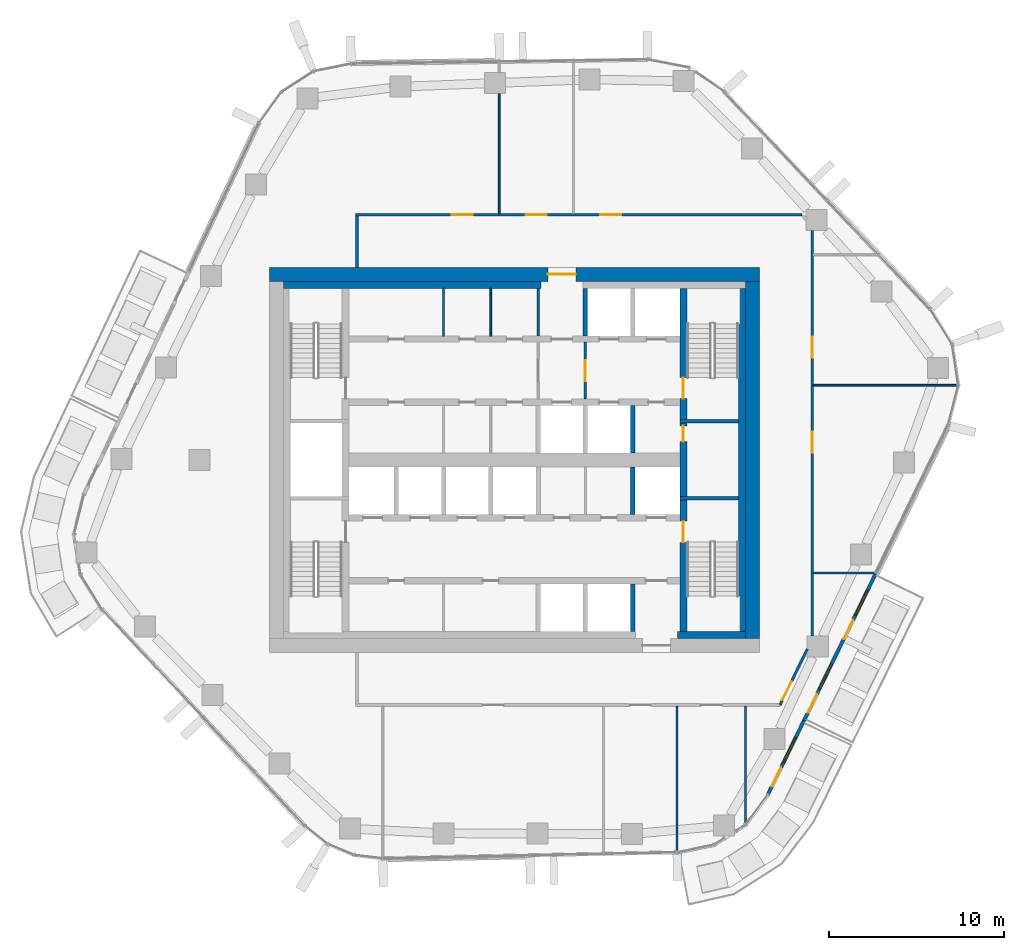
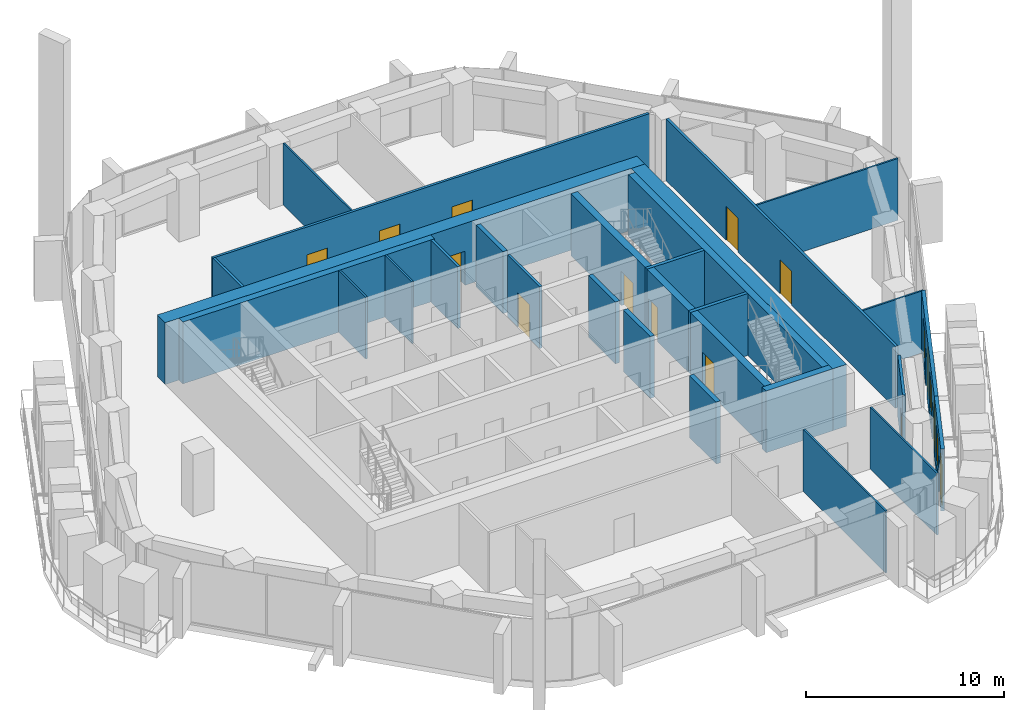
# One storey, part 13 of 18: 29 walls, 14 doors, 3 windows, 17 openings.
"""IFC4 building model written with IfcOpenShell, lengths in metres."""

from ifc_helpers import new_model, si_unit, direction, frame, frame_2d, origin, place, context, subcontext, project, spatial, rectangle, extrude, material, layer, layer_set, type_object, element, fill, save


model = new_model("IFC4")

# Units and contexts
model_context = context("Model", 3, precision=1e-05, world=origin(), true_north=direction((0.0, 1.0)))
body_context = subcontext(model_context, "Body", "Model", "MODEL_VIEW")
ifc_project = project(units=[si_unit("LENGTHUNIT", "METRE"), si_unit("AREAUNIT", "SQUARE_METRE"), si_unit("VOLUMEUNIT", "CUBIC_METRE"), si_unit("PLANEANGLEUNIT", "RADIAN"), si_unit("MASSUNIT", "GRAM", prefix="KILO")], contexts=[model_context])

# Site, building, storey
site_placement = place(None, origin())
site = spatial("IfcSite", under=ifc_project, at=site_placement, CompositionType="ELEMENT")
building_placement = place(site_placement, origin())
building = spatial("IfcBuilding", under=site, at=building_placement, Name="Dongbaek Canopy Tower", CompositionType="ELEMENT")
storey_placement = place(building_placement, frame((0.0, 0.0, 158.60009765625)))
storey = spatial("IfcBuildingStorey", under=building, at=storey_placement, Name="L34", CompositionType="ELEMENT", Elevation=158.60009765625)

# Wall, opening, door
ifc_material_1 = material(Name="Concrete C70/85", Category="concrete")
ifc_layer_1 = layer(ifc_material_1, 0.800048828125)
ifc_layer_set_1 = layer_set([ifc_layer_1], Name="Core outer wall 800 Concrete C70/85")
wall_type_1 = type_object("IfcWallType", Name="Core outer wall 800 Concrete C70/85", PredefinedType="SHEAR", material=ifc_layer_set_1)
wall_1_placement = place(storey_placement, frame((-14.0, 10.60009765625, 0.0), z_axis=(0.0, 0.0, 1.0), x_axis=(1.0, 0.0, 0.0)))
wall_1 = element("IfcWall", 1, at=wall_1_placement, inside=storey, type_object=wall_type_1, Name="Core wall", PredefinedType="SHEAR", context=body_context, shape_type="SweptSolid", body=[
    extrude(rectangle(XDim=28.0, YDim=0.800048828125, at=frame_2d((14.0, 0.0))), origin(), (0.0, 0.0, 1.0), 3.81982421875),
])
opening_1_placement = place(wall_1_placement, frame((15.89990234375, 0.0, 0.0)))
opening_1 = element("IfcOpeningElement", 2, at=opening_1_placement, cuts=wall_1, Name="Opening L34-D011", PredefinedType="OPENING", context=body_context, shape_type="SweptSolid", body=[
    extrude(rectangle(XDim=1.60009765625, YDim=2.10009765625, at=frame_2d((0.800048828125, 1.050048828125))), frame((0.0, 0.409912109375, 0.0), z_axis=(0.0, -1.0, 0.0), x_axis=(1.0, 0.0, 0.0)), (0.0, 0.0, 1.0), 0.820068359375),
])
ifc_material_2 = material(Name="Steel", Category="steel")
door_type_1 = type_object("IfcDoorType", Name="Core exit door 1600 x 2100", OperationType="DOUBLE_DOOR_SINGLE_SWING", PredefinedType="DOOR", material=ifc_material_2)
door_1_placement = place(opening_1_placement, origin())
door_1 = element("IfcDoor", 3, at=door_1_placement, inside=storey, type_object=door_type_1, Name="Core exit door", OperationType="DOUBLE_DOOR_SINGLE_SWING", OverallHeight=2.10009765625, OverallWidth=1.60009765625, PredefinedType="DOOR", context=body_context, shape_type="SweptSolid", body=[
    extrude(rectangle(XDim=1.60009765625, YDim=2.10009765625, at=frame_2d((0.800048828125, 1.050048828125))), frame((0.0, 0.02490234375, 0.0), z_axis=(0.0, -1.0, 0.0), x_axis=(1.0, 0.0, 0.0)), (0.0, 0.0, 1.0), 0.050048828125),
])
fill(opening_1, door_1)

# Walls
wall_2_placement = place(storey_placement, frame((13.60009765625, 10.199951171875, 0.0), z_axis=(0.0, 0.0, 1.0), x_axis=(0.0, -1.0, 0.0)))
element("IfcWall", 4, at=wall_2_placement, inside=storey, type_object=wall_type_1, Name="Core wall", PredefinedType="SHEAR", context=body_context, shape_type="SweptSolid", body=[
    extrude(rectangle(XDim=20.39990234375, YDim=0.800048828125, at=frame_2d((10.199951171875, 0.0))), origin(), (0.0, 0.0, 1.0), 3.81982421875),
])
ifc_material_3 = material(Name="Concrete C60/75", Category="concrete")
ifc_layer_2 = layer(ifc_material_3, 0.39990234375)
ifc_layer_set_2 = layer_set([ifc_layer_2], Name="Core wall lining 400 Concrete C60/75")
wall_type_2 = type_object("IfcWallType", Name="Core wall lining 400 Concrete C60/75", PredefinedType="SHEAR", material=ifc_layer_set_2)
wall_3_placement = place(storey_placement, frame((-13.199951171875, 10.0, 0.0), z_axis=(0.0, 0.0, 1.0), x_axis=(1.0, 0.0, 0.0)))
element("IfcWall", 5, at=wall_3_placement, inside=storey, type_object=wall_type_2, Name="Core wall lining", PredefinedType="SHEAR", context=body_context, shape_type="SweptSolid", body=[
    extrude(rectangle(XDim=14.699951171875, YDim=0.39990234375, at=frame_2d((7.35009765625, 0.0))), origin(), (0.0, 0.0, 1.0), 3.81982421875),
])
wall_4_placement = place(storey_placement, frame((13.199951171875, -10.0, 0.0), z_axis=(0.0, 0.0, 1.0), x_axis=(-1.0, 0.0, 0.0)))
element("IfcWall", 6, at=wall_4_placement, inside=storey, type_object=wall_type_2, Name="Core wall lining", PredefinedType="SHEAR", context=body_context, shape_type="SweptSolid", body=[
    extrude(rectangle(XDim=3.89990234375, YDim=0.39990234375, at=frame_2d((1.949951171875, 0.0))), origin(), (0.0, 0.0, 1.0), 3.81982421875),
])
wall_5_placement = place(storey_placement, frame((13.0, 9.800048828125, 0.0), z_axis=(0.0, 0.0, 1.0), x_axis=(0.0, -1.0, 0.0)))
element("IfcWall", 7, at=wall_5_placement, inside=storey, type_object=wall_type_2, Name="Core wall lining", PredefinedType="SHEAR", context=body_context, shape_type="SweptSolid", body=[
    extrude(rectangle(XDim=19.60009765625, YDim=0.39990234375, at=frame_2d((9.800048828125, 0.0))), origin(), (0.0, 0.0, 1.0), 3.81982421875),
])

# Wall, openings, doors
ifc_material_4 = material(Name="Gypsum board partition, steel stud, 2 x 15 mm fire board", Category="steel")
ifc_layer_3 = layer(ifc_material_4, 0.14990234375)
ifc_layer_set_3 = layer_set([ifc_layer_3], Name="Fire-rated partition 150 gypsum board")
wall_type_3 = type_object("IfcWallType", Name="Fire-rated partition 150 gypsum board", PredefinedType="PARTITIONING", material=ifc_layer_set_3)
wall_6_placement = place(storey_placement, frame((-9.074951171875, 14.0, 0.0), z_axis=(0.0, 0.0, 1.0), x_axis=(1.0, 0.0, 0.0)))
wall_6 = element("IfcWall", 8, at=wall_6_placement, inside=storey, type_object=wall_type_3, Name="Corridor partition", PredefinedType="PARTITIONING", context=body_context, shape_type="SweptSolid", body=[
    extrude(rectangle(XDim=25.489013671875, YDim=0.14990234375, at=frame_2d((12.74462890625, 0.0))), origin(), (0.0, 0.0, 1.0), 3.81982421875),
])
opening_2_placement = place(wall_6_placement, frame((13.965087890625, 0.0, 0.0)))
opening_2 = element("IfcOpeningElement", 9, at=opening_2_placement, cuts=wall_6, Name="Opening L34-D007", PredefinedType="OPENING", context=body_context, shape_type="SweptSolid", body=[
    extrude(rectangle(XDim=1.199951171875, YDim=2.10009765625, at=frame_2d((0.60009765625, 1.050048828125))), frame((0.0, 0.0849609375, 0.0), z_axis=(0.0, -1.0, 0.0), x_axis=(1.0, 0.0, 0.0)), (0.0, 0.0, 1.0), 0.169921875),
])
opening_3_placement = place(wall_6_placement, frame((9.73046875, 0.0, 0.0)))
opening_3 = element("IfcOpeningElement", 10, at=opening_3_placement, cuts=wall_6, Name="Opening L34-D008", PredefinedType="OPENING", context=body_context, shape_type="SweptSolid", body=[
    extrude(rectangle(XDim=1.199951171875, YDim=2.10009765625, at=frame_2d((0.60009765625, 1.050048828125))), frame((0.0, 0.0849609375, 0.0), z_axis=(0.0, -1.0, 0.0), x_axis=(1.0, 0.0, 0.0)), (0.0, 0.0, 1.0), 0.169921875),
])
opening_4_placement = place(wall_6_placement, frame((5.490478515625, 0.0, 0.0)))
opening_4 = element("IfcOpeningElement", 11, at=opening_4_placement, cuts=wall_6, Name="Opening L34-D009", PredefinedType="OPENING", context=body_context, shape_type="SweptSolid", body=[
    extrude(rectangle(XDim=1.199951171875, YDim=2.10009765625, at=frame_2d((0.60009765625, 1.050048828125))), frame((0.0, 0.0849609375, 0.0), z_axis=(0.0, -1.0, 0.0), x_axis=(1.0, 0.0, 0.0)), (0.0, 0.0, 1.0), 0.169921875),
])
ifc_material_5 = material(Name="Timber veneered door leaf", Category="wood")
door_type_2 = type_object("IfcDoorType", Name="Room door 1200 x 2100", OperationType="SINGLE_SWING_LEFT", PredefinedType="DOOR", material=ifc_material_5)
door_2_placement = place(opening_2_placement, origin())
door_2 = element("IfcDoor", 12, at=door_2_placement, inside=storey, type_object=door_type_2, Name="Door L34-D007", OperationType="SINGLE_SWING_RIGHT", OverallHeight=2.10009765625, OverallWidth=1.199951171875, PredefinedType="DOOR", context=body_context, shape_type="SweptSolid", body=[
    extrude(rectangle(XDim=1.199951171875, YDim=2.10009765625, at=frame_2d((0.60009765625, 1.050048828125))), frame((0.0, 0.02490234375, 0.0), z_axis=(0.0, -1.0, 0.0), x_axis=(1.0, 0.0, 0.0)), (0.0, 0.0, 1.0), 0.050048828125),
])
fill(opening_2, door_2)
door_3_placement = place(opening_3_placement, origin())
door_3 = element("IfcDoor", 13, at=door_3_placement, inside=storey, type_object=door_type_2, Name="Door L34-D008", OperationType="SINGLE_SWING_LEFT", OverallHeight=2.10009765625, OverallWidth=1.199951171875, PredefinedType="DOOR", context=body_context, shape_type="SweptSolid", body=[
    extrude(rectangle(XDim=1.199951171875, YDim=2.10009765625, at=frame_2d((0.60009765625, 1.050048828125))), frame((0.0, 0.02490234375, 0.0), z_axis=(0.0, -1.0, 0.0), x_axis=(1.0, 0.0, 0.0)), (0.0, 0.0, 1.0), 0.050048828125),
])
fill(opening_3, door_3)
door_4_placement = place(opening_4_placement, origin())
door_4 = element("IfcDoor", 14, at=door_4_placement, inside=storey, type_object=door_type_2, Name="Door L34-D009", OperationType="SINGLE_SWING_RIGHT", OverallHeight=2.10009765625, OverallWidth=1.199951171875, PredefinedType="DOOR", context=body_context, shape_type="SweptSolid", body=[
    extrude(rectangle(XDim=1.199951171875, YDim=2.10009765625, at=frame_2d((0.60009765625, 1.050048828125))), frame((0.0, 0.02490234375, 0.0), z_axis=(0.0, -1.0, 0.0), x_axis=(1.0, 0.0, 0.0)), (0.0, 0.0, 1.0), 0.050048828125),
])
fill(opening_4, door_4)

# Wall, opening, door
wall_7_placement = place(storey_placement, frame((16.721923828125, -10.809326171875, 0.0), z_axis=(0.0, 0.0, 1.0), x_axis=(-0.438666135365, -0.898650110824, 0.0)))
wall_7 = element("IfcWall", 15, at=wall_7_placement, inside=storey, type_object=wall_type_3, Name="Corridor partition", PredefinedType="PARTITIONING", context=body_context, shape_type="SweptSolid", body=[
    extrude(rectangle(XDim=3.55029296875, YDim=0.14990234375, at=frame_2d((1.775146484375, 0.0))), origin(), (0.0, 0.0, 1.0), 3.81982421875),
])
opening_5_placement = place(wall_7_placement, frame((2.038330078125, 0.0, 0.0)))
opening_5 = element("IfcOpeningElement", 16, at=opening_5_placement, cuts=wall_7, Name="Opening L34-D004", PredefinedType="OPENING", context=body_context, shape_type="SweptSolid", body=[
    extrude(rectangle(XDim=1.199951171875, YDim=2.10009765625, at=frame_2d((0.60009765625, 1.050048828125))), frame((0.0, 0.0849609375, 0.0), z_axis=(0.0, -1.0, 0.0), x_axis=(1.0, 0.0, 0.0)), (0.0, 0.0, 1.0), 0.169921875),
])
door_5_placement = place(opening_5_placement, origin())
door_5 = element("IfcDoor", 17, at=door_5_placement, inside=storey, type_object=door_type_2, Name="Door L34-D004", OperationType="SINGLE_SWING_LEFT", OverallHeight=2.10009765625, OverallWidth=1.199951171875, PredefinedType="DOOR", context=body_context, shape_type="SweptSolid", body=[
    extrude(rectangle(XDim=1.199951171875, YDim=2.10009765625, at=frame_2d((0.60009765625, 1.050048828125))), frame((0.0, 0.02490234375, 0.0), z_axis=(0.0, -1.0, 0.0), x_axis=(1.0, 0.0, 0.0)), (0.0, 0.0, 1.0), 0.050048828125),
])
fill(opening_5, door_5)

# Wall, openings, doors
wall_8_placement = place(storey_placement, frame((17.0, 13.10595703125, 0.0), z_axis=(0.0, 0.0, 1.0), x_axis=(0.0, -1.0, 0.0)))
wall_8 = element("IfcWall", 18, at=wall_8_placement, inside=storey, type_object=wall_type_3, Name="Corridor partition", PredefinedType="PARTITIONING", context=body_context, shape_type="SweptSolid", body=[
    extrude(rectangle(XDim=23.171875, YDim=0.14990234375, at=frame_2d((11.5859375, 0.0))), origin(), (0.0, 0.0, 1.0), 3.81982421875),
])
opening_6_placement = place(wall_8_placement, frame((11.491943359375, 0.0, 0.0)))
opening_6 = element("IfcOpeningElement", 19, at=opening_6_placement, cuts=wall_8, Name="Opening L34-D005", PredefinedType="OPENING", context=body_context, shape_type="SweptSolid", body=[
    extrude(rectangle(XDim=1.199951171875, YDim=2.10009765625, at=frame_2d((0.60009765625, 1.050048828125))), frame((0.0, 0.0849609375, 0.0), z_axis=(0.0, -1.0, 0.0), x_axis=(1.0, 0.0, 0.0)), (0.0, 0.0, 1.0), 0.169921875),
])
opening_7_placement = place(wall_8_placement, frame((6.056396484375, 0.0, 0.0)))
opening_7 = element("IfcOpeningElement", 20, at=opening_7_placement, cuts=wall_8, Name="Opening L34-D006", PredefinedType="OPENING", context=body_context, shape_type="SweptSolid", body=[
    extrude(rectangle(XDim=1.199951171875, YDim=2.10009765625, at=frame_2d((0.60009765625, 1.050048828125))), frame((0.0, 0.0849609375, 0.0), z_axis=(0.0, -1.0, 0.0), x_axis=(1.0, 0.0, 0.0)), (0.0, 0.0, 1.0), 0.169921875),
])
door_6_placement = place(opening_6_placement, origin())
door_6 = element("IfcDoor", 21, at=door_6_placement, inside=storey, type_object=door_type_2, Name="Door L34-D005", OperationType="SINGLE_SWING_RIGHT", OverallHeight=2.10009765625, OverallWidth=1.199951171875, PredefinedType="DOOR", context=body_context, shape_type="SweptSolid", body=[
    extrude(rectangle(XDim=1.199951171875, YDim=2.10009765625, at=frame_2d((0.60009765625, 1.050048828125))), frame((0.0, 0.02490234375, 0.0), z_axis=(0.0, -1.0, 0.0), x_axis=(1.0, 0.0, 0.0)), (0.0, 0.0, 1.0), 0.050048828125),
])
fill(opening_6, door_6)
door_7_placement = place(opening_7_placement, origin())
door_7 = element("IfcDoor", 22, at=door_7_placement, inside=storey, type_object=door_type_2, Name="Door L34-D006", OperationType="SINGLE_SWING_LEFT", OverallHeight=2.10009765625, OverallWidth=1.199951171875, PredefinedType="DOOR", context=body_context, shape_type="SweptSolid", body=[
    extrude(rectangle(XDim=1.199951171875, YDim=2.10009765625, at=frame_2d((0.60009765625, 1.050048828125))), frame((0.0, 0.02490234375, 0.0), z_axis=(0.0, -1.0, 0.0), x_axis=(1.0, 0.0, 0.0)), (0.0, 0.0, 1.0), 0.050048828125),
])
fill(opening_7, door_7)

# Wall
wall_9_placement = place(storey_placement, frame((-9.0, 11.0, 0.0), z_axis=(0.0, 0.0, 1.0), x_axis=(0.0, 1.0, 0.0)))
element("IfcWall", 23, at=wall_9_placement, inside=storey, type_object=wall_type_3, Name="Corridor partition", PredefinedType="PARTITIONING", context=body_context, shape_type="SweptSolid", body=[
    extrude(rectangle(XDim=2.925048828125, YDim=0.14990234375, at=frame_2d((1.46240234375, 0.0))), origin(), (0.0, 0.0, 1.0), 3.81982421875),
])

# Wall, opening, door
wall_10_placement = place(storey_placement, frame((4.050048828125, 6.72509765625, 0.0), z_axis=(0.0, 0.0, 1.0), x_axis=(0.0, -1.0, 0.0)))
wall_10 = element("IfcWall", 24, at=wall_10_placement, inside=storey, type_object=wall_type_3, Name="Fire lobby partition", PredefinedType="PARTITIONING", context=body_context, shape_type="SweptSolid", body=[
    extrude(rectangle(XDim=3.25, YDim=0.14990234375, at=frame_2d((1.625, 0.0))), origin(), (0.0, 0.0, 1.0), 3.81982421875),
])
opening_8_placement = place(wall_10_placement, frame((1.02490234375, 0.0, 0.0)))
opening_8 = element("IfcOpeningElement", 25, at=opening_8_placement, cuts=wall_10, Name="Opening L34-D040", PredefinedType="OPENING", context=body_context, shape_type="SweptSolid", body=[
    extrude(rectangle(XDim=1.199951171875, YDim=2.10009765625, at=frame_2d((0.60009765625, 1.050048828125))), frame((0.0, 0.0849609375, 0.0), z_axis=(0.0, -1.0, 0.0), x_axis=(1.0, 0.0, 0.0)), (0.0, 0.0, 1.0), 0.169921875),
])
ifc_material_6 = material(Name="Steel", Category="steel")
door_type_3 = type_object("IfcDoorType", Name="Fire lobby door 1200 x 2100", OperationType="SINGLE_SWING_LEFT", PredefinedType="DOOR", material=ifc_material_6)
door_8_placement = place(opening_8_placement, origin())
door_8 = element("IfcDoor", 26, at=door_8_placement, inside=storey, type_object=door_type_3, Name="Door L34-D040", OperationType="SINGLE_SWING_RIGHT", OverallHeight=2.10009765625, OverallWidth=1.199951171875, PredefinedType="DOOR", context=body_context, shape_type="SweptSolid", body=[
    extrude(rectangle(XDim=1.199951171875, YDim=2.10009765625, at=frame_2d((0.60009765625, 1.050048828125))), frame((0.0, 0.02490234375, 0.0), z_axis=(0.0, -1.0, 0.0), x_axis=(1.0, 0.0, 0.0)), (0.0, 0.0, 1.0), 0.050048828125),
])
fill(opening_8, door_8)

# Walls
wall_11_placement = place(storey_placement, frame((1.35009765625, 7.074951171875, 0.0), z_axis=(0.0, 0.0, 1.0), x_axis=(0.0, 1.0, 0.0)))
element("IfcWall", 27, at=wall_11_placement, inside=storey, type_object=wall_type_3, Name="Fire lobby partition", PredefinedType="PARTITIONING", context=body_context, shape_type="SweptSolid", body=[
    extrude(rectangle(XDim=2.72509765625, YDim=0.14990234375, at=frame_2d((1.362548828125, 0.0))), origin(), (0.0, 0.0, 1.0), 3.81982421875),
])
ifc_material_7 = material(Name="Concrete C40/50", Category="concrete")
ifc_layer_4 = layer(ifc_material_7, 0.25)
ifc_layer_set_4 = layer_set([ifc_layer_4], Name="Lift shaft wall 250 Concrete C40/50")
wall_type_4 = type_object("IfcWallType", Name="Lift shaft wall 250 Concrete C40/50", PredefinedType="SOLIDWALL", material=ifc_layer_set_4)
for number, where, z_axis, x_axis, name in (
    (28, (6.75, -9.800048828125, 0.0), (0.0, 0.0, 1.0), (0.0, 1.0, 0.0), "Lift shaft wall"),
    (29, (6.75, -3.125, 0.0), (0.0, 0.0, 1.0), (0.0, 1.0, 0.0), "Lift shaft wall"),
    (30, (6.75, 0.39990234375, 0.0), (0.0, 0.0, 1.0), (0.0, 1.0, 0.0), "Lift shaft wall"),
    (31, (4.050048828125, 7.074951171875, 0.0), (0.0, 0.0, 1.0), (0.0, 1.0, 0.0), "Lift shaft wall"),
):
    element("IfcWall", number, at=place(storey_placement, frame(where, z_axis=z_axis, x_axis=x_axis)), inside=storey, type_object=wall_type_4, Name=name, PredefinedType="SOLIDWALL", context=body_context, shape_type="SweptSolid", body=[
        extrude(rectangle(XDim=2.72509765625, YDim=0.25, at=frame_2d((1.362548828125, 0.0))), origin(), (0.0, 0.0, 1.0), 3.81982421875),
    ])
ifc_material_8 = material(Name="Gypsum board partition, steel stud, 2 x 12.5 mm board", Category="steel")
ifc_layer_5 = layer(ifc_material_8, 0.10009765625)
ifc_layer_set_5 = layer_set([ifc_layer_5], Name="Partition 100 gypsum board")
wall_type_5 = type_object("IfcWallType", Name="Partition 100 gypsum board", PredefinedType="PARTITIONING", material=ifc_layer_set_5)
wall_12_placement = place(storey_placement, frame((17.074951171875, -6.4580078125, 0.0), z_axis=(0.0, 0.0, 1.0), x_axis=(1.0, 0.0, 0.0)))
element("IfcWall", 32, at=wall_12_placement, inside=storey, type_object=wall_type_5, Name="Partition", PredefinedType="PARTITIONING", context=body_context, shape_type="SweptSolid", body=[
    extrude(rectangle(XDim=3.552001953125, YDim=0.10009765625, at=frame_2d((1.77587890625, 0.0))), origin(), (0.0, 0.0, 1.0), 3.81982421875),
])
wall_13_placement = place(storey_placement, frame((17.074951171875, 4.26904296875, 0.0), z_axis=(0.0, 0.0, 1.0), x_axis=(1.0, 0.0, 0.0)))
element("IfcWall", 33, at=wall_13_placement, inside=storey, type_object=wall_type_5, Name="Partition", PredefinedType="PARTITIONING", context=body_context, shape_type="SweptSolid", body=[
    extrude(rectangle(XDim=8.258544921875, YDim=0.10009765625, at=frame_2d((4.12939453125, 0.0))), origin(), (0.0, 0.0, 1.0), 3.81982421875),
])
wall_14_placement = place(storey_placement, frame((13.197998046875, -20.79638671875, 0.0), z_axis=(0.0, 0.0, 1.0), x_axis=(0.0, 1.0, 0.0)))
element("IfcWall", 34, at=wall_14_placement, inside=storey, type_object=wall_type_5, Name="Partition", PredefinedType="PARTITIONING", context=body_context, shape_type="SweptSolid", body=[
    extrude(rectangle(XDim=6.721435546875, YDim=0.10009765625, at=frame_2d((3.36083984375, 0.0))), origin(), (0.0, 0.0, 1.0), 3.81982421875),
])
wall_15_placement = place(storey_placement, frame((9.283935546875, -22.39794921875, 0.0), z_axis=(0.0, 0.0, 1.0), x_axis=(0.0, 1.0, 0.0)))
element("IfcWall", 35, at=wall_15_placement, inside=storey, type_object=wall_type_5, Name="Partition", PredefinedType="PARTITIONING", context=body_context, shape_type="SweptSolid", body=[
    extrude(rectangle(XDim=8.322998046875, YDim=0.10009765625, at=frame_2d((4.16162109375, 0.0))), origin(), (0.0, 0.0, 1.0), 3.81982421875),
])
wall_16_placement = place(storey_placement, frame((-0.864990234375, 14.074951171875, 0.0), z_axis=(0.0, 0.0, 1.0), x_axis=(0.0, 1.0, 0.0)))
element("IfcWall", 36, at=wall_16_placement, inside=storey, type_object=wall_type_5, Name="Partition", PredefinedType="PARTITIONING", context=body_context, shape_type="SweptSolid", body=[
    extrude(rectangle(XDim=6.85498046875, YDim=0.10009765625, at=frame_2d((3.427490234375, 0.0))), origin(), (0.0, 0.0, 1.0), 3.81982421875),
])
for number, where, z_axis, x_axis, name in (
    (37, (-1.35009765625, 7.074951171875, 0.0), (0.0, 0.0, 1.0), (0.0, 1.0, 0.0), "Core partition"),
    (38, (-4.050048828125, 7.074951171875, 0.0), (0.0, 0.0, 1.0), (0.0, 1.0, 0.0), "Core partition"),
):
    element("IfcWall", number, at=place(storey_placement, frame(where, z_axis=z_axis, x_axis=x_axis)), inside=storey, type_object=wall_type_5, Name=name, PredefinedType="PARTITIONING", context=body_context, shape_type="SweptSolid", body=[
        extrude(rectangle(XDim=2.72509765625, YDim=0.10009765625, at=frame_2d((1.362548828125, 0.0))), origin(), (0.0, 0.0, 1.0), 3.81982421875),
    ])
ifc_material_9 = material(Name="Concrete C60/75", Category="concrete")
ifc_layer_6 = layer(ifc_material_9, 0.199951171875)
ifc_layer_set_6 = layer_set([ifc_layer_6], Name="Riser wall 200 Concrete C60/75")
wall_type_6 = type_object("IfcWallType", Name="Riser wall 200 Concrete C60/75", PredefinedType="SHEAR", material=ifc_layer_set_6)
for number, where, z_axis, x_axis, name in (
    (39, (9.449951171875, 2.199951171875, 0.0), (0.0, 0.0, 1.0), (1.0, 0.0, 0.0), "Riser wall"),
    (40, (9.449951171875, -2.199951171875, 0.0), (0.0, 0.0, 1.0), (1.0, 0.0, 0.0), "Riser wall"),
):
    element("IfcWall", number, at=place(storey_placement, frame(where, z_axis=z_axis, x_axis=x_axis)), inside=storey, type_object=wall_type_6, Name=name, PredefinedType="SHEAR", context=body_context, shape_type="SweptSolid", body=[
        extrude(rectangle(XDim=3.35009765625, YDim=0.199951171875, at=frame_2d((1.675048828125, 0.0))), origin(), (0.0, 0.0, 1.0), 3.81982421875),
    ])

# Wall, opening, door
ifc_material_10 = material(Name="Concrete C60/75", Category="concrete")
ifc_layer_7 = layer(ifc_material_10, 0.39990234375)
ifc_layer_set_7 = layer_set([ifc_layer_7], Name="Stair wall 400 Concrete C60/75")
wall_type_7 = type_object("IfcWallType", Name="Stair wall 400 Concrete C60/75", PredefinedType="SHEAR", material=ifc_layer_set_7)
wall_17_placement = place(storey_placement, frame((9.64990234375, -2.300048828125, 0.0), z_axis=(0.0, 0.0, 1.0), x_axis=(0.0, -1.0, 0.0)))
wall_17 = element("IfcWall", 41, at=wall_17_placement, inside=storey, type_object=wall_type_7, Name="Stair wall", PredefinedType="SHEAR", context=body_context, shape_type="SweptSolid", body=[
    extrude(rectangle(XDim=7.5, YDim=0.39990234375, at=frame_2d((3.75, 0.0))), origin(), (0.0, 0.0, 1.0), 3.81982421875),
])
opening_9_placement = place(wall_17_placement, frame((1.199951171875, 0.0, 0.0)))
opening_9 = element("IfcOpeningElement", 42, at=opening_9_placement, cuts=wall_17, Name="Opening L34-D037", PredefinedType="OPENING", context=body_context, shape_type="SweptSolid", body=[
    extrude(rectangle(XDim=1.199951171875, YDim=2.10009765625, at=frame_2d((0.60009765625, 1.050048828125))), frame((0.0, 0.2099609375, 0.0), z_axis=(0.0, -1.0, 0.0), x_axis=(1.0, 0.0, 0.0)), (0.0, 0.0, 1.0), 0.419921875),
])
ifc_material_11 = material(Name="Steel", Category="steel")
door_type_4 = type_object("IfcDoorType", Name="Stair door 1200 x 2100", OperationType="SINGLE_SWING_LEFT", PredefinedType="DOOR", material=ifc_material_11)
door_9_placement = place(opening_9_placement, origin())
door_9 = element("IfcDoor", 43, at=door_9_placement, inside=storey, type_object=door_type_4, Name="Stair B door", OperationType="SINGLE_SWING_RIGHT", OverallHeight=2.10009765625, OverallWidth=1.199951171875, PredefinedType="DOOR", context=body_context, shape_type="SweptSolid", body=[
    extrude(rectangle(XDim=1.199951171875, YDim=2.10009765625, at=frame_2d((0.60009765625, 1.050048828125))), frame((0.0, 0.02490234375, 0.0), z_axis=(0.0, -1.0, 0.0), x_axis=(1.0, 0.0, 0.0)), (0.0, 0.0, 1.0), 0.050048828125),
])
fill(opening_9, door_9)

wall_18_placement = place(storey_placement, frame((9.64990234375, 2.10009765625, 0.0), z_axis=(0.0, 0.0, 1.0), x_axis=(0.0, -1.0, 0.0)))
wall_18 = element("IfcWall", 44, at=wall_18_placement, inside=storey, type_object=wall_type_7, Name="Stair wall", PredefinedType="SHEAR", context=body_context, shape_type="SweptSolid", body=[
    extrude(rectangle(XDim=4.2001953125, YDim=0.39990234375, at=frame_2d((2.10009765625, 0.0))), origin(), (0.0, 0.0, 1.0), 3.81982421875),
])
opening_10_placement = place(wall_18_placement, frame((0.14990234375, 0.0, 0.0)))
opening_10 = element("IfcOpeningElement", 45, at=opening_10_placement, cuts=wall_18, Name="Opening L34-D010", PredefinedType="OPENING", context=body_context, shape_type="SweptSolid", body=[
    extrude(rectangle(XDim=0.89990234375, YDim=2.10009765625, at=frame_2d((0.449951171875, 1.050048828125))), frame((0.0, 0.2099609375, 0.0), z_axis=(0.0, -1.0, 0.0), x_axis=(1.0, 0.0, 0.0)), (0.0, 0.0, 1.0), 0.419921875),
])
ifc_material_12 = material(Name="Steel", Category="steel")
door_type_5 = type_object("IfcDoorType", Name="Core room door 900 x 2100", OperationType="SINGLE_SWING_LEFT", PredefinedType="DOOR", material=ifc_material_12)
door_10_placement = place(opening_10_placement, origin())
door_10 = element("IfcDoor", 46, at=door_10_placement, inside=storey, type_object=door_type_5, Name="Door L34-D010", OperationType="SINGLE_SWING_RIGHT", OverallHeight=2.10009765625, OverallWidth=0.89990234375, PredefinedType="DOOR", context=body_context, shape_type="SweptSolid", body=[
    extrude(rectangle(XDim=0.89990234375, YDim=2.10009765625, at=frame_2d((0.449951171875, 1.050048828125))), frame((0.0, 0.02490234375, 0.0), z_axis=(0.0, -1.0, 0.0), x_axis=(1.0, 0.0, 0.0)), (0.0, 0.0, 1.0), 0.050048828125),
])
fill(opening_10, door_10)

wall_19_placement = place(storey_placement, frame((9.64990234375, 9.800048828125, 0.0), z_axis=(0.0, 0.0, 1.0), x_axis=(0.0, -1.0, 0.0)))
wall_19 = element("IfcWall", 47, at=wall_19_placement, inside=storey, type_object=wall_type_7, Name="Stair wall", PredefinedType="SHEAR", context=body_context, shape_type="SweptSolid", body=[
    extrude(rectangle(XDim=7.5, YDim=0.39990234375, at=frame_2d((3.75, 0.0))), origin(), (0.0, 0.0, 1.0), 3.81982421875),
])
opening_11_placement = place(wall_19_placement, frame((5.10009765625, 0.0, 0.0)))
opening_11 = element("IfcOpeningElement", 48, at=opening_11_placement, cuts=wall_19, Name="Opening L34-D035", PredefinedType="OPENING", context=body_context, shape_type="SweptSolid", body=[
    extrude(rectangle(XDim=1.199951171875, YDim=2.10009765625, at=frame_2d((0.60009765625, 1.050048828125))), frame((0.0, 0.2099609375, 0.0), z_axis=(0.0, -1.0, 0.0), x_axis=(1.0, 0.0, 0.0)), (0.0, 0.0, 1.0), 0.419921875),
])
door_11_placement = place(opening_11_placement, origin())
door_11 = element("IfcDoor", 49, at=door_11_placement, inside=storey, type_object=door_type_4, Name="Stair A door", OperationType="SINGLE_SWING_LEFT", OverallHeight=2.10009765625, OverallWidth=1.199951171875, PredefinedType="DOOR", context=body_context, shape_type="SweptSolid", body=[
    extrude(rectangle(XDim=1.199951171875, YDim=2.10009765625, at=frame_2d((0.60009765625, 1.050048828125))), frame((0.0, 0.02490234375, 0.0), z_axis=(0.0, -1.0, 0.0), x_axis=(1.0, 0.0, 0.0)), (0.0, 0.0, 1.0), 0.050048828125),
])
fill(opening_11, door_11)

# Wall, openings, doors, windows
ifc_material_13 = material(Name="Aluminium window wall", Category="aluminium")
ifc_layer_8 = layer(ifc_material_13, 0.199951171875)
ifc_layer_set_8 = layer_set([ifc_layer_8], Name="Window wall 200")
wall_type_8 = type_object("IfcWallType", Name="Window wall 200", PredefinedType="SOLIDWALL", material=ifc_layer_set_8)
wall_20_placement = place(storey_placement, frame((16.53271484375, -14.89111328125, 0.0), z_axis=(0.0, 0.0, 1.0), x_axis=(0.438659913387, 0.898653147987, 0.0)))
wall_20 = element("IfcWall", 50, at=wall_20_placement, inside=storey, type_object=wall_type_8, Name="Window wall L34 2", PredefinedType="SOLIDWALL", context=body_context, shape_type="SweptSolid", body=[
    extrude(rectangle(XDim=9.38427734375, YDim=0.199951171875, at=frame_2d((4.692138671875, 0.0))), origin(), (0.0, 0.0, 1.0), 3.81982421875),
])
opening_12_placement = place(wall_20_placement, frame((2.0, 0.0, 0.60009765625)))
opening_12 = element("IfcOpeningElement", 51, at=opening_12_placement, cuts=wall_20, Name="Opening W1", PredefinedType="OPENING", context=body_context, shape_type="SweptSolid", body=[
    extrude(rectangle(XDim=1.60009765625, YDim=2.39990234375, at=frame_2d((0.800048828125, 1.199951171875))), frame((0.0, 0.10986328125, 0.0), z_axis=(0.0, -1.0, 0.0), x_axis=(1.0, 0.0, 0.0)), (0.0, 0.0, 1.0), 0.219970703125),
])
opening_13_placement = place(wall_20_placement, frame((0.5, 0.0, 0.0)))
opening_13 = element("IfcOpeningElement", 52, at=opening_13_placement, cuts=wall_20, Name="Opening L34-B04", PredefinedType="OPENING", context=body_context, shape_type="SweptSolid", body=[
    extrude(rectangle(XDim=1.199951171875, YDim=2.39990234375, at=frame_2d((0.60009765625, 1.199951171875))), frame((0.0, 0.10986328125, 0.0), z_axis=(0.0, -1.0, 0.0), x_axis=(1.0, 0.0, 0.0)), (0.0, 0.0, 1.0), 0.219970703125),
])
opening_14_placement = place(wall_20_placement, frame((6.692138671875, 0.0, 0.60009765625)))
opening_14 = element("IfcOpeningElement", 53, at=opening_14_placement, cuts=wall_20, Name="Opening W1", PredefinedType="OPENING", context=body_context, shape_type="SweptSolid", body=[
    extrude(rectangle(XDim=1.60009765625, YDim=2.39990234375, at=frame_2d((0.800048828125, 1.199951171875))), frame((0.0, 0.10986328125, 0.0), z_axis=(0.0, -1.0, 0.0), x_axis=(1.0, 0.0, 0.0)), (0.0, 0.0, 1.0), 0.219970703125),
])
opening_15_placement = place(wall_20_placement, frame((5.192138671875, 0.0, 0.0)))
opening_15 = element("IfcOpeningElement", 54, at=opening_15_placement, cuts=wall_20, Name="Opening L34-B05", PredefinedType="OPENING", context=body_context, shape_type="SweptSolid", body=[
    extrude(rectangle(XDim=1.199951171875, YDim=2.39990234375, at=frame_2d((0.60009765625, 1.199951171875))), frame((0.0, 0.10986328125, 0.0), z_axis=(0.0, -1.0, 0.0), x_axis=(1.0, 0.0, 0.0)), (0.0, 0.0, 1.0), 0.219970703125),
])
ifc_material_14 = material(Name="Clear glazing in aluminium frame", Category="aluminium")
door_type_6 = type_object("IfcDoorType", Name="Balcony door BD1 1200 x 2400", OperationType="SLIDING_TO_LEFT", PredefinedType="DOOR", material=ifc_material_14)
door_12_placement = place(opening_13_placement, origin())
door_12 = element("IfcDoor", 55, at=door_12_placement, inside=storey, type_object=door_type_6, Name="Balcony door L34-B04", OperationType="SLIDING_TO_LEFT", OverallHeight=2.39990234375, OverallWidth=1.199951171875, PredefinedType="DOOR", context=body_context, shape_type="SweptSolid", body=[
    extrude(rectangle(XDim=1.199951171875, YDim=2.39990234375, at=frame_2d((0.60009765625, 1.199951171875))), frame((0.0, 0.02490234375, 0.0), z_axis=(0.0, -1.0, 0.0), x_axis=(1.0, 0.0, 0.0)), (0.0, 0.0, 1.0), 0.050048828125),
])
fill(opening_13, door_12)
door_13_placement = place(opening_15_placement, origin())
door_13 = element("IfcDoor", 56, at=door_13_placement, inside=storey, type_object=door_type_6, Name="Balcony door L34-B05", OperationType="SLIDING_TO_LEFT", OverallHeight=2.39990234375, OverallWidth=1.199951171875, PredefinedType="DOOR", context=body_context, shape_type="SweptSolid", body=[
    extrude(rectangle(XDim=1.199951171875, YDim=2.39990234375, at=frame_2d((0.60009765625, 1.199951171875))), frame((0.0, 0.02490234375, 0.0), z_axis=(0.0, -1.0, 0.0), x_axis=(1.0, 0.0, 0.0)), (0.0, 0.0, 1.0), 0.050048828125),
])
fill(opening_15, door_13)
ifc_material_15 = material(Name="Clear glazing in aluminium frame", Category="aluminium")
window_type = type_object("IfcWindowType", Name="Window W1 1600 x 2400", PartitioningType="SINGLE_PANEL", PredefinedType="WINDOW", material=ifc_material_15)
window_1_placement = place(opening_12_placement, origin())
window_1 = element("IfcWindow", 57, at=window_1_placement, inside=storey, type_object=window_type, Name="Window L34 2.1", OverallHeight=2.39990234375, OverallWidth=1.60009765625, PartitioningType="SINGLE_PANEL", PredefinedType="WINDOW", context=body_context, shape_type="SweptSolid", body=[
    extrude(rectangle(XDim=1.60009765625, YDim=2.39990234375, at=frame_2d((0.800048828125, 1.199951171875))), frame((0.0, 0.030029296875, 0.0), z_axis=(0.0, -1.0, 0.0), x_axis=(1.0, 0.0, 0.0)), (0.0, 0.0, 1.0), 0.06005859375),
])
fill(opening_12, window_1)
window_2_placement = place(opening_14_placement, origin())
window_2 = element("IfcWindow", 58, at=window_2_placement, inside=storey, type_object=window_type, Name="Window L34 2.2", OverallHeight=2.39990234375, OverallWidth=1.60009765625, PartitioningType="SINGLE_PANEL", PredefinedType="WINDOW", context=body_context, shape_type="SweptSolid", body=[
    extrude(rectangle(XDim=1.60009765625, YDim=2.39990234375, at=frame_2d((0.800048828125, 1.199951171875))), frame((0.0, 0.030029296875, 0.0), z_axis=(0.0, -1.0, 0.0), x_axis=(1.0, 0.0, 0.0)), (0.0, 0.0, 1.0), 0.06005859375),
])
fill(opening_14, window_2)

# Wall, openings, door, window
wall_21_placement = place(storey_placement, frame((14.478515625, -19.099365234375, 0.0), z_axis=(0.0, 0.0, 1.0), x_axis=(0.438663973521, 0.898651166101, 0.0)))
wall_21 = element("IfcWall", 59, at=wall_21_placement, inside=storey, type_object=wall_type_8, Name="Window wall L34 4", PredefinedType="SOLIDWALL", context=body_context, shape_type="SweptSolid", body=[
    extrude(rectangle(XDim=4.682861328125, YDim=0.199951171875, at=frame_2d((2.34130859375, 0.0))), origin(), (0.0, 0.0, 1.0), 3.81982421875),
])
opening_16_placement = place(wall_21_placement, frame((2.0, 0.0, 0.60009765625)))
opening_16 = element("IfcOpeningElement", 60, at=opening_16_placement, cuts=wall_21, Name="Opening W1", PredefinedType="OPENING", context=body_context, shape_type="SweptSolid", body=[
    extrude(rectangle(XDim=1.60009765625, YDim=2.39990234375, at=frame_2d((0.800048828125, 1.199951171875))), frame((0.0, 0.10986328125, 0.0), z_axis=(0.0, -1.0, 0.0), x_axis=(1.0, 0.0, 0.0)), (0.0, 0.0, 1.0), 0.219970703125),
])
opening_17_placement = place(wall_21_placement, frame((0.5, 0.0, 0.0)))
opening_17 = element("IfcOpeningElement", 61, at=opening_17_placement, cuts=wall_21, Name="Opening L34-B06", PredefinedType="OPENING", context=body_context, shape_type="SweptSolid", body=[
    extrude(rectangle(XDim=1.199951171875, YDim=2.39990234375, at=frame_2d((0.60009765625, 1.199951171875))), frame((0.0, 0.10986328125, 0.0), z_axis=(0.0, -1.0, 0.0), x_axis=(1.0, 0.0, 0.0)), (0.0, 0.0, 1.0), 0.219970703125),
])
door_14_placement = place(opening_17_placement, origin())
door_14 = element("IfcDoor", 62, at=door_14_placement, inside=storey, type_object=door_type_6, Name="Balcony door L34-B06", OperationType="SLIDING_TO_LEFT", OverallHeight=2.39990234375, OverallWidth=1.199951171875, PredefinedType="DOOR", context=body_context, shape_type="SweptSolid", body=[
    extrude(rectangle(XDim=1.199951171875, YDim=2.39990234375, at=frame_2d((0.60009765625, 1.199951171875))), frame((0.0, 0.02490234375, 0.0), z_axis=(0.0, -1.0, 0.0), x_axis=(1.0, 0.0, 0.0)), (0.0, 0.0, 1.0), 0.050048828125),
])
fill(opening_17, door_14)
window_3_placement = place(opening_16_placement, origin())
window_3 = element("IfcWindow", 63, at=window_3_placement, inside=storey, type_object=window_type, Name="Window L34 4.1", OverallHeight=2.39990234375, OverallWidth=1.60009765625, PartitioningType="SINGLE_PANEL", PredefinedType="WINDOW", context=body_context, shape_type="SweptSolid", body=[
    extrude(rectangle(XDim=1.60009765625, YDim=2.39990234375, at=frame_2d((0.800048828125, 1.199951171875))), frame((0.0, 0.030029296875, 0.0), z_axis=(0.0, -1.0, 0.0), x_axis=(1.0, 0.0, 0.0)), (0.0, 0.0, 1.0), 0.06005859375),
])
fill(opening_16, window_3)

save(model, "model.ifc")
